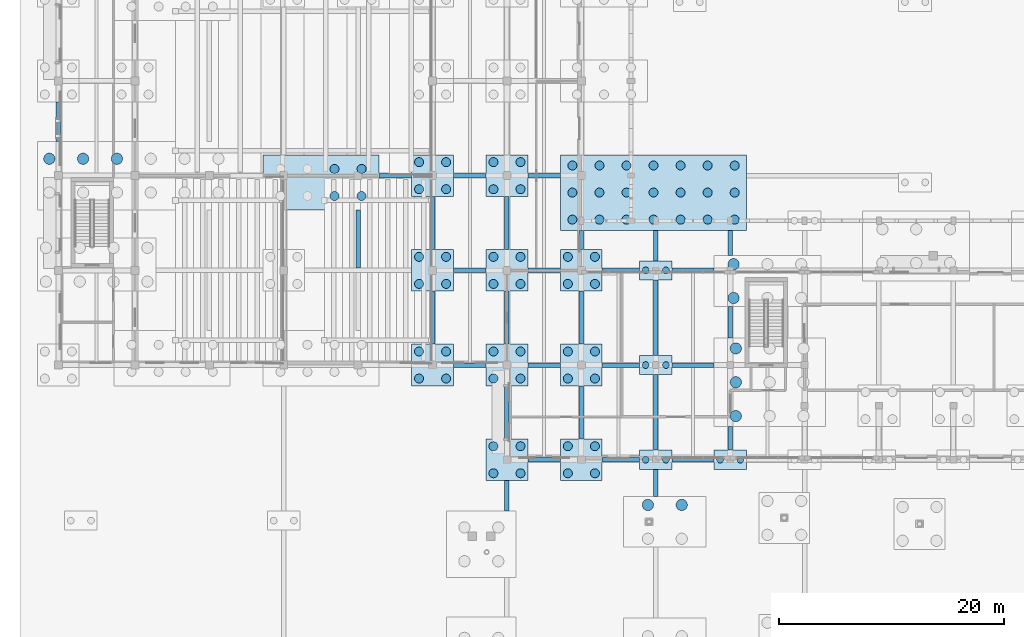
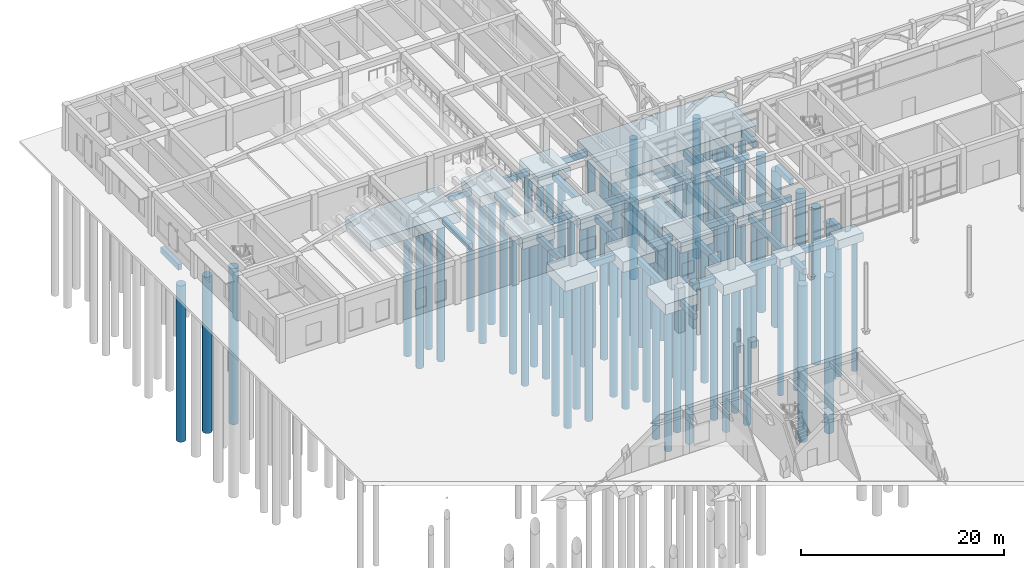
# One storey, part 4 of 82: 83 piles, 48 footings.
"""IFC4 building model written with IfcOpenShell, lengths in metres."""

from ifc_helpers import new_model, si_unit, direction, frame, origin, origin_2d, place, context, subcontext, project, spatial, rectangle, circle, extrude, material, material_profile, profile_set, type_object, element, save


model = new_model("IFC4")

# Units and contexts
model_context = context("Model", 3, precision=1e-05, world=origin(), true_north=direction((0.0, 1.0)))
body_context = subcontext(model_context, "Body", "Model", "MODEL_VIEW")
ifc_project = project(units=[si_unit("LENGTHUNIT", "METRE"), si_unit("AREAUNIT", "SQUARE_METRE"), si_unit("VOLUMEUNIT", "CUBIC_METRE"), si_unit("PLANEANGLEUNIT", "RADIAN"), si_unit("MASSUNIT", "GRAM", prefix="KILO")], contexts=[model_context])

# Site, building, storey
site_placement = place(None, origin())
site = spatial("IfcSite", under=ifc_project, at=site_placement, CompositionType="ELEMENT")
building_placement = place(site_placement, origin())
building = spatial("IfcBuilding", under=site, at=building_placement, Name="Kolvaren Faculty of Natural Sciences", CompositionType="ELEMENT")
storey_placement = place(building_placement, origin())
storey = spatial("IfcBuildingStorey", under=building, at=storey_placement, Name="L00", CompositionType="ELEMENT", Elevation=0.0)

# Piles
ifc_material = material(Name="Concrete C35/45", Category="concrete")
ifc_material_profile_1 = material_profile(ifc_material, circle(Radius=0.5, at=origin_2d()), Name="PILE D1000")
ifc_profile_set_1 = profile_set([ifc_material_profile_1], Name="Concrete C35/45")
pile_type_1 = type_object("IfcPileType", Name="BoredPile_1000", PredefinedType="BORED", material=ifc_profile_set_1)
for number, where, z_axis, x_axis, name in (
    (1, (-0.800048828125, 94.10009765625, -1.469970703125), (0.0, 0.0, -1.0), (1.0, 0.0, 0.0), "Rock-socketed bored pile BP-1000 under CAP-087"),
    (2, (2.199951171875, 94.10009765625, -1.469970703125), (0.0, 0.0, -1.0), (1.0, 0.0, 0.0), "Rock-socketed bored pile BP-1000 under CAP-087"),
    (3, (5.199951171875, 94.10009765625, -1.469970703125), (0.0, 0.0, -1.0), (1.0, 0.0, 0.0), "Rock-socketed bored pile BP-1000 under CAP-087"),
    (4, (52.300048828125, 63.389892578125, -1.469970703125), (0.0, 0.0, -1.0), (1.0, 0.0, 0.0), "Rock-socketed bored pile BP-1000 under CAP-146"),
    (5, (55.300048828125, 63.389892578125, -1.469970703125), (0.0, 0.0, -1.0), (1.0, 0.0, 0.0), "Rock-socketed bored pile BP-1000 under CAP-146"),
    (6, (60.10009765625, 71.27490234375, -1.469970703125), (0.0, 0.0, -1.0), (1.0, 0.0, 0.0), "Rock-socketed bored pile BP-1000 under CAP-154"),
    (7, (60.10009765625, 74.27490234375, -1.469970703125), (0.0, 0.0, -1.0), (1.0, 0.0, 0.0), "Rock-socketed bored pile BP-1000 under CAP-154"),
    (8, (60.10009765625, 77.27490234375, -1.469970703125), (0.0, 0.0, -1.0), (1.0, 0.0, 0.0), "Rock-socketed bored pile BP-1000 under CAP-154"),
    (9, (59.89990234375, 81.75, -1.469970703125), (0.0, 0.0, -1.0), (1.0, 0.0, 0.0), "Rock-socketed bored pile BP-1000 under CAP-155"),
    (10, (59.89990234375, 84.75, -1.469970703125), (0.0, 0.0, -1.0), (1.0, 0.0, 0.0), "Rock-socketed bored pile BP-1000 under CAP-155"),
):
    element("IfcPile", number, at=place(storey_placement, frame(where, z_axis=z_axis, x_axis=x_axis)), inside=storey, type_object=pile_type_1, Name=name, PredefinedType="BORED", context=body_context, shape_type="SweptSolid", body=[
        extrude(circle(Radius=0.5, at=origin_2d()), origin(), (0.0, 0.0, 1.0), 18.830078125),
    ])
ifc_material_profile_2 = material_profile(ifc_material, circle(Radius=0.300048828125, at=origin_2d()), Name="PILE D600")
ifc_profile_set_2 = profile_set([ifc_material_profile_2], Name="Concrete C35/45")
pile_type_2 = type_object("IfcPileType", Name="BoredPile_600", PredefinedType="BORED", material=ifc_profile_set_2)
for number, where, z_axis, x_axis, name in (
    (11, (52.10009765625, 67.39990234375, -1.27001953125), (0.0, 0.0, -1.0), (1.0, 0.0, 0.0), "Rock-socketed bored pile BP-600 under CAP-148"),
    (12, (53.89990234375, 67.39990234375, -1.27001953125), (0.0, 0.0, -1.0), (1.0, 0.0, 0.0), "Rock-socketed bored pile BP-600 under CAP-148"),
    (13, (52.10009765625, 75.800048828125, -1.27001953125), (0.0, 0.0, -1.0), (1.0, 0.0, 0.0), "Rock-socketed bored pile BP-600 under CAP-149"),
    (14, (53.89990234375, 75.800048828125, -1.27001953125), (0.0, 0.0, -1.0), (1.0, 0.0, 0.0), "Rock-socketed bored pile BP-600 under CAP-149"),
    (15, (52.10009765625, 84.199951171875, -1.27001953125), (0.0, 0.0, -1.0), (1.0, 0.0, 0.0), "Rock-socketed bored pile BP-600 under CAP-150"),
    (16, (53.89990234375, 84.199951171875, -1.27001953125), (0.0, 0.0, -1.0), (1.0, 0.0, 0.0), "Rock-socketed bored pile BP-600 under CAP-150"),
    (17, (58.699951171875, 67.39990234375, -1.27001953125), (0.0, 0.0, -1.0), (1.0, 0.0, 0.0), "Rock-socketed bored pile BP-600 under CAP-153"),
    (18, (60.5, 67.39990234375, -1.27001953125), (0.0, 0.0, -1.0), (1.0, 0.0, 0.0), "Rock-socketed bored pile BP-600 under CAP-153"),
):
    element("IfcPile", number, at=place(storey_placement, frame(where, z_axis=z_axis, x_axis=x_axis)), inside=storey, type_object=pile_type_2, Name=name, PredefinedType="BORED", context=body_context, shape_type="SweptSolid", body=[
        extrude(circle(Radius=0.300048828125, at=origin_2d()), origin(), (0.0, 0.0, 1.0), 15.929931640625),
    ])
ifc_material_profile_3 = material_profile(ifc_material, circle(Radius=0.39990234375, at=origin_2d()), Name="PILE D800")
ifc_profile_set_3 = profile_set([ifc_material_profile_3], Name="Concrete C35/45")
pile_type_3 = type_object("IfcPileType", Name="BoredPile_800", PredefinedType="BORED", material=ifc_profile_set_3)
for number, where, z_axis, x_axis, name in (
    (19, (24.5, 90.800048828125, -1.469970703125), (0.0, 0.0, -1.0), (1.0, 0.0, 0.0), "Rock-socketed bored pile BP-800 under CAP-109"),
    (20, (24.5, 93.199951171875, -1.469970703125), (0.0, 0.0, -1.0), (1.0, 0.0, 0.0), "Rock-socketed bored pile BP-800 under CAP-109"),
    (21, (26.89990234375, 90.800048828125, -1.469970703125), (0.0, 0.0, -1.0), (1.0, 0.0, 0.0), "Rock-socketed bored pile BP-800 under CAP-109"),
    (22, (26.89990234375, 93.199951171875, -1.469970703125), (0.0, 0.0, -1.0), (1.0, 0.0, 0.0), "Rock-socketed bored pile BP-800 under CAP-109"),
    (23, (32.0, 74.60009765625, -1.469970703125), (0.0, 0.0, -1.0), (1.0, 0.0, 0.0), "Rock-socketed bored pile BP-800 under CAP-121"),
    (24, (32.0, 77.0, -1.469970703125), (0.0, 0.0, -1.0), (1.0, 0.0, 0.0), "Rock-socketed bored pile BP-800 under CAP-121"),
    (25, (34.39990234375, 74.60009765625, -1.469970703125), (0.0, 0.0, -1.0), (1.0, 0.0, 0.0), "Rock-socketed bored pile BP-800 under CAP-121"),
    (26, (34.39990234375, 77.0, -1.469970703125), (0.0, 0.0, -1.0), (1.0, 0.0, 0.0), "Rock-socketed bored pile BP-800 under CAP-121"),
    (27, (32.0, 83.0, -1.469970703125), (0.0, 0.0, -1.0), (1.0, 0.0, 0.0), "Rock-socketed bored pile BP-800 under CAP-122"),
    (28, (32.0, 85.39990234375, -1.469970703125), (0.0, 0.0, -1.0), (1.0, 0.0, 0.0), "Rock-socketed bored pile BP-800 under CAP-122"),
    (29, (34.39990234375, 83.0, -1.469970703125), (0.0, 0.0, -1.0), (1.0, 0.0, 0.0), "Rock-socketed bored pile BP-800 under CAP-122"),
    (30, (34.39990234375, 85.39990234375, -1.469970703125), (0.0, 0.0, -1.0), (1.0, 0.0, 0.0), "Rock-socketed bored pile BP-800 under CAP-122"),
    (31, (32.0, 91.39990234375, -1.469970703125), (0.0, 0.0, -1.0), (1.0, 0.0, 0.0), "Rock-socketed bored pile BP-800 under CAP-123"),
    (32, (32.0, 93.800048828125, -1.469970703125), (0.0, 0.0, -1.0), (1.0, 0.0, 0.0), "Rock-socketed bored pile BP-800 under CAP-123"),
    (33, (34.39990234375, 91.39990234375, -1.469970703125), (0.0, 0.0, -1.0), (1.0, 0.0, 0.0), "Rock-socketed bored pile BP-800 under CAP-123"),
    (34, (34.39990234375, 93.800048828125, -1.469970703125), (0.0, 0.0, -1.0), (1.0, 0.0, 0.0), "Rock-socketed bored pile BP-800 under CAP-123"),
    (35, (38.60009765625, 66.199951171875, -1.469970703125), (0.0, 0.0, -1.0), (1.0, 0.0, 0.0), "Rock-socketed bored pile BP-800 under CAP-131"),
    (36, (38.60009765625, 68.60009765625, -1.469970703125), (0.0, 0.0, -1.0), (1.0, 0.0, 0.0), "Rock-socketed bored pile BP-800 under CAP-131"),
    (37, (41.0, 66.199951171875, -1.469970703125), (0.0, 0.0, -1.0), (1.0, 0.0, 0.0), "Rock-socketed bored pile BP-800 under CAP-131"),
    (38, (41.0, 68.60009765625, -1.469970703125), (0.0, 0.0, -1.0), (1.0, 0.0, 0.0), "Rock-socketed bored pile BP-800 under CAP-131"),
    (39, (38.60009765625, 74.60009765625, -1.469970703125), (0.0, 0.0, -1.0), (1.0, 0.0, 0.0), "Rock-socketed bored pile BP-800 under CAP-132"),
    (40, (38.60009765625, 77.0, -1.469970703125), (0.0, 0.0, -1.0), (1.0, 0.0, 0.0), "Rock-socketed bored pile BP-800 under CAP-132"),
    (41, (41.0, 74.60009765625, -1.469970703125), (0.0, 0.0, -1.0), (1.0, 0.0, 0.0), "Rock-socketed bored pile BP-800 under CAP-132"),
    (42, (41.0, 77.0, -1.469970703125), (0.0, 0.0, -1.0), (1.0, 0.0, 0.0), "Rock-socketed bored pile BP-800 under CAP-132"),
    (43, (38.60009765625, 83.0, -1.469970703125), (0.0, 0.0, -1.0), (1.0, 0.0, 0.0), "Rock-socketed bored pile BP-800 under CAP-133"),
    (44, (38.60009765625, 85.39990234375, -1.469970703125), (0.0, 0.0, -1.0), (1.0, 0.0, 0.0), "Rock-socketed bored pile BP-800 under CAP-133"),
    (45, (41.0, 83.0, -1.469970703125), (0.0, 0.0, -1.0), (1.0, 0.0, 0.0), "Rock-socketed bored pile BP-800 under CAP-133"),
    (46, (41.0, 85.39990234375, -1.469970703125), (0.0, 0.0, -1.0), (1.0, 0.0, 0.0), "Rock-socketed bored pile BP-800 under CAP-133"),
    (47, (38.60009765625, 91.39990234375, -1.469970703125), (0.0, 0.0, -1.0), (1.0, 0.0, 0.0), "Rock-socketed bored pile BP-800 under CAP-134"),
    (48, (38.60009765625, 93.800048828125, -1.469970703125), (0.0, 0.0, -1.0), (1.0, 0.0, 0.0), "Rock-socketed bored pile BP-800 under CAP-134"),
    (49, (41.0, 91.39990234375, -1.469970703125), (0.0, 0.0, -1.0), (1.0, 0.0, 0.0), "Rock-socketed bored pile BP-800 under CAP-134"),
    (50, (41.0, 93.800048828125, -1.469970703125), (0.0, 0.0, -1.0), (1.0, 0.0, 0.0), "Rock-socketed bored pile BP-800 under CAP-134"),
    (51, (45.199951171875, 66.199951171875, -1.469970703125), (0.0, 0.0, -1.0), (1.0, 0.0, 0.0), "Rock-socketed bored pile BP-800 under CAP-138"),
    (52, (45.199951171875, 68.60009765625, -1.469970703125), (0.0, 0.0, -1.0), (1.0, 0.0, 0.0), "Rock-socketed bored pile BP-800 under CAP-138"),
    (53, (47.60009765625, 66.199951171875, -1.469970703125), (0.0, 0.0, -1.0), (1.0, 0.0, 0.0), "Rock-socketed bored pile BP-800 under CAP-138"),
    (54, (47.60009765625, 68.60009765625, -1.469970703125), (0.0, 0.0, -1.0), (1.0, 0.0, 0.0), "Rock-socketed bored pile BP-800 under CAP-138"),
    (55, (45.199951171875, 74.60009765625, -1.469970703125), (0.0, 0.0, -1.0), (1.0, 0.0, 0.0), "Rock-socketed bored pile BP-800 under CAP-139"),
    (56, (45.199951171875, 77.0, -1.469970703125), (0.0, 0.0, -1.0), (1.0, 0.0, 0.0), "Rock-socketed bored pile BP-800 under CAP-139"),
    (57, (47.60009765625, 74.60009765625, -1.469970703125), (0.0, 0.0, -1.0), (1.0, 0.0, 0.0), "Rock-socketed bored pile BP-800 under CAP-139"),
    (58, (47.60009765625, 77.0, -1.469970703125), (0.0, 0.0, -1.0), (1.0, 0.0, 0.0), "Rock-socketed bored pile BP-800 under CAP-139"),
    (59, (45.199951171875, 83.0, -1.469970703125), (0.0, 0.0, -1.0), (1.0, 0.0, 0.0), "Rock-socketed bored pile BP-800 under CAP-140"),
    (60, (45.199951171875, 85.39990234375, -1.469970703125), (0.0, 0.0, -1.0), (1.0, 0.0, 0.0), "Rock-socketed bored pile BP-800 under CAP-140"),
    (61, (47.60009765625, 83.0, -1.469970703125), (0.0, 0.0, -1.0), (1.0, 0.0, 0.0), "Rock-socketed bored pile BP-800 under CAP-140"),
    (62, (47.60009765625, 85.39990234375, -1.469970703125), (0.0, 0.0, -1.0), (1.0, 0.0, 0.0), "Rock-socketed bored pile BP-800 under CAP-140"),
    (63, (45.60009765625, 88.699951171875, -1.469970703125), (0.0, 0.0, -1.0), (1.0, 0.0, 0.0), "Rock-socketed bored pile BP-800 under CAP-141"),
    (64, (45.60009765625, 91.10009765625, -1.469970703125), (0.0, 0.0, -1.0), (1.0, 0.0, 0.0), "Rock-socketed bored pile BP-800 under CAP-141"),
    (65, (45.60009765625, 93.5, -1.469970703125), (0.0, 0.0, -1.0), (1.0, 0.0, 0.0), "Rock-socketed bored pile BP-800 under CAP-141"),
    (66, (48.0, 88.699951171875, -1.469970703125), (0.0, 0.0, -1.0), (1.0, 0.0, 0.0), "Rock-socketed bored pile BP-800 under CAP-141"),
    (67, (48.0, 91.10009765625, -1.469970703125), (0.0, 0.0, -1.0), (1.0, 0.0, 0.0), "Rock-socketed bored pile BP-800 under CAP-141"),
    (68, (48.0, 93.5, -1.469970703125), (0.0, 0.0, -1.0), (1.0, 0.0, 0.0), "Rock-socketed bored pile BP-800 under CAP-141"),
    (69, (50.39990234375, 88.699951171875, -1.469970703125), (0.0, 0.0, -1.0), (1.0, 0.0, 0.0), "Rock-socketed bored pile BP-800 under CAP-141"),
    (70, (50.39990234375, 91.10009765625, -1.469970703125), (0.0, 0.0, -1.0), (1.0, 0.0, 0.0), "Rock-socketed bored pile BP-800 under CAP-141"),
    (71, (50.39990234375, 93.5, -1.469970703125), (0.0, 0.0, -1.0), (1.0, 0.0, 0.0), "Rock-socketed bored pile BP-800 under CAP-141"),
    (72, (52.800048828125, 88.699951171875, -1.469970703125), (0.0, 0.0, -1.0), (1.0, 0.0, 0.0), "Rock-socketed bored pile BP-800 under CAP-141"),
    (73, (52.800048828125, 91.10009765625, -1.469970703125), (0.0, 0.0, -1.0), (1.0, 0.0, 0.0), "Rock-socketed bored pile BP-800 under CAP-141"),
    (74, (52.800048828125, 93.5, -1.469970703125), (0.0, 0.0, -1.0), (1.0, 0.0, 0.0), "Rock-socketed bored pile BP-800 under CAP-141"),
    (75, (55.199951171875, 88.699951171875, -1.469970703125), (0.0, 0.0, -1.0), (1.0, 0.0, 0.0), "Rock-socketed bored pile BP-800 under CAP-141"),
    (76, (55.199951171875, 91.10009765625, -1.469970703125), (0.0, 0.0, -1.0), (1.0, 0.0, 0.0), "Rock-socketed bored pile BP-800 under CAP-141"),
    (77, (55.199951171875, 93.5, -1.469970703125), (0.0, 0.0, -1.0), (1.0, 0.0, 0.0), "Rock-socketed bored pile BP-800 under CAP-141"),
    (78, (57.60009765625, 88.699951171875, -1.469970703125), (0.0, 0.0, -1.0), (1.0, 0.0, 0.0), "Rock-socketed bored pile BP-800 under CAP-141"),
    (79, (57.60009765625, 91.10009765625, -1.469970703125), (0.0, 0.0, -1.0), (1.0, 0.0, 0.0), "Rock-socketed bored pile BP-800 under CAP-141"),
    (80, (57.60009765625, 93.5, -1.469970703125), (0.0, 0.0, -1.0), (1.0, 0.0, 0.0), "Rock-socketed bored pile BP-800 under CAP-141"),
    (81, (60.0, 88.699951171875, -1.469970703125), (0.0, 0.0, -1.0), (1.0, 0.0, 0.0), "Rock-socketed bored pile BP-800 under CAP-141"),
    (82, (60.0, 91.10009765625, -1.469970703125), (0.0, 0.0, -1.0), (1.0, 0.0, 0.0), "Rock-socketed bored pile BP-800 under CAP-141"),
    (83, (60.0, 93.5, -1.469970703125), (0.0, 0.0, -1.0), (1.0, 0.0, 0.0), "Rock-socketed bored pile BP-800 under CAP-141"),
):
    element("IfcPile", number, at=place(storey_placement, frame(where, z_axis=z_axis, x_axis=x_axis)), inside=storey, type_object=pile_type_3, Name=name, PredefinedType="BORED", context=body_context, shape_type="SweptSolid", body=[
        extrude(circle(Radius=0.39990234375, at=origin_2d()), origin(), (0.0, 0.0, 1.0), 16.929931640625),
    ])

# Footings
ifc_material_profile_4 = material_profile(ifc_material, rectangle(XDim=0.39990234375, YDim=0.699951171875, at=origin_2d()), Name="RC FB 400x700")
ifc_profile_set_4 = profile_set([ifc_material_profile_4], Name="Concrete C35/45")
footing_type_1 = type_object("IfcFootingType", Name="FootingTieBeam_400x700", PredefinedType="FOOTING_BEAM", material=ifc_profile_set_4)
footing_1_placement = place(storey_placement, frame((41.64990234375, 67.39990234375, -0.75), z_axis=(1.0, 0.0, 0.0), x_axis=(0.0, 1.0, 0.0)))
element("IfcFooting", 84, at=footing_1_placement, inside=storey, type_object=footing_type_1, Name="L00 orthogonal foundation tie beam FB-01", PredefinedType="FOOTING_BEAM", context=body_context, shape_type="SweptSolid", body=[
    extrude(rectangle(XDim=0.39990234375, YDim=0.699951171875, at=origin_2d()), origin(), (0.0, 0.0, 1.0), 2.900146484375),
])
footing_2_placement = place(storey_placement, frame((48.25, 67.39990234375, -0.75), z_axis=(1.0, 0.0, 0.0), x_axis=(0.0, 1.0, 0.0)))
element("IfcFooting", 85, at=footing_2_placement, inside=storey, type_object=footing_type_1, Name="L00 orthogonal foundation tie beam FB-01", PredefinedType="FOOTING_BEAM", context=body_context, shape_type="SweptSolid", body=[
    extrude(rectangle(XDim=0.39990234375, YDim=0.699951171875, at=origin_2d()), origin(), (0.0, 0.0, 1.0), 3.300048828125),
])
footing_3_placement = place(storey_placement, frame((54.449951171875, 67.39990234375, -0.75), z_axis=(1.0, 0.0, 0.0), x_axis=(0.0, 1.0, 0.0)))
element("IfcFooting", 86, at=footing_3_placement, inside=storey, type_object=footing_type_1, Name="L00 orthogonal foundation tie beam FB-01", PredefinedType="FOOTING_BEAM", context=body_context, shape_type="SweptSolid", body=[
    extrude(rectangle(XDim=0.39990234375, YDim=0.699951171875, at=origin_2d()), origin(), (0.0, 0.0, 1.0), 3.699951171875),
])
footing_4_placement = place(storey_placement, frame((35.050048828125, 75.800048828125, -0.75), z_axis=(1.0, 0.0, 0.0), x_axis=(0.0, 1.0, 0.0)))
element("IfcFooting", 87, at=footing_4_placement, inside=storey, type_object=footing_type_1, Name="L00 orthogonal foundation tie beam FB-01", PredefinedType="FOOTING_BEAM", context=body_context, shape_type="SweptSolid", body=[
    extrude(rectangle(XDim=0.39990234375, YDim=0.699951171875, at=origin_2d()), origin(), (0.0, 0.0, 1.0), 2.89990234375),
])
footing_5_placement = place(storey_placement, frame((41.64990234375, 75.800048828125, -0.75), z_axis=(1.0, 0.0, 0.0), x_axis=(0.0, 1.0, 0.0)))
element("IfcFooting", 88, at=footing_5_placement, inside=storey, type_object=footing_type_1, Name="L00 orthogonal foundation tie beam FB-01", PredefinedType="FOOTING_BEAM", context=body_context, shape_type="SweptSolid", body=[
    extrude(rectangle(XDim=0.39990234375, YDim=0.699951171875, at=origin_2d()), origin(), (0.0, 0.0, 1.0), 2.900146484375),
])
footing_6_placement = place(storey_placement, frame((48.25, 75.800048828125, -0.75), z_axis=(1.0, 0.0, 0.0), x_axis=(0.0, 1.0, 0.0)))
element("IfcFooting", 89, at=footing_6_placement, inside=storey, type_object=footing_type_1, Name="L00 orthogonal foundation tie beam FB-01", PredefinedType="FOOTING_BEAM", context=body_context, shape_type="SweptSolid", body=[
    extrude(rectangle(XDim=0.39990234375, YDim=0.699951171875, at=origin_2d()), origin(), (0.0, 0.0, 1.0), 3.300048828125),
])
footing_7_placement = place(storey_placement, frame((54.449951171875, 75.800048828125, -0.75), z_axis=(1.0, 0.0, 0.0), x_axis=(0.0, 1.0, 0.0)))
element("IfcFooting", 90, at=footing_7_placement, inside=storey, type_object=footing_type_1, Name="L00 orthogonal foundation tie beam FB-01", PredefinedType="FOOTING_BEAM", context=body_context, shape_type="SweptSolid", body=[
    extrude(rectangle(XDim=0.39990234375, YDim=0.699951171875, at=origin_2d()), origin(), (0.0, 0.0, 1.0), 3.699951171875),
])
footing_8_placement = place(storey_placement, frame((35.050048828125, 84.199951171875, -0.75), z_axis=(1.0, 0.0, 0.0), x_axis=(0.0, 1.0, 0.0)))
element("IfcFooting", 91, at=footing_8_placement, inside=storey, type_object=footing_type_1, Name="L00 orthogonal foundation tie beam FB-01", PredefinedType="FOOTING_BEAM", context=body_context, shape_type="SweptSolid", body=[
    extrude(rectangle(XDim=0.39990234375, YDim=0.699951171875, at=origin_2d()), origin(), (0.0, 0.0, 1.0), 2.89990234375),
])
footing_9_placement = place(storey_placement, frame((41.64990234375, 84.199951171875, -0.75), z_axis=(1.0, 0.0, 0.0), x_axis=(0.0, 1.0, 0.0)))
element("IfcFooting", 92, at=footing_9_placement, inside=storey, type_object=footing_type_1, Name="L00 orthogonal foundation tie beam FB-01", PredefinedType="FOOTING_BEAM", context=body_context, shape_type="SweptSolid", body=[
    extrude(rectangle(XDim=0.39990234375, YDim=0.699951171875, at=origin_2d()), origin(), (0.0, 0.0, 1.0), 2.900146484375),
])
footing_10_placement = place(storey_placement, frame((48.25, 84.199951171875, -0.75), z_axis=(1.0, 0.0, 0.0), x_axis=(0.0, 1.0, 0.0)))
element("IfcFooting", 93, at=footing_10_placement, inside=storey, type_object=footing_type_1, Name="L00 orthogonal foundation tie beam FB-01", PredefinedType="FOOTING_BEAM", context=body_context, shape_type="SweptSolid", body=[
    extrude(rectangle(XDim=0.39990234375, YDim=0.699951171875, at=origin_2d()), origin(), (0.0, 0.0, 1.0), 3.300048828125),
])
footing_11_placement = place(storey_placement, frame((54.449951171875, 84.199951171875, -0.75), z_axis=(1.0, 0.0, 0.0), x_axis=(0.0, 1.0, 0.0)))
element("IfcFooting", 94, at=footing_11_placement, inside=storey, type_object=footing_type_1, Name="L00 orthogonal foundation tie beam FB-01", PredefinedType="FOOTING_BEAM", context=body_context, shape_type="SweptSolid", body=[
    extrude(rectangle(XDim=0.39990234375, YDim=0.699951171875, at=origin_2d()), origin(), (0.0, 0.0, 1.0), 3.699951171875),
])
footing_12_placement = place(storey_placement, frame((28.449951171875, 92.60009765625, -0.75), z_axis=(1.0, 0.0, 0.0), x_axis=(0.0, 1.0, 0.0)))
element("IfcFooting", 95, at=footing_12_placement, inside=storey, type_object=footing_type_1, Name="L00 orthogonal foundation tie beam FB-01", PredefinedType="FOOTING_BEAM", context=body_context, shape_type="SweptSolid", body=[
    extrude(rectangle(XDim=0.39990234375, YDim=0.699951171875, at=origin_2d()), origin(), (0.0, 0.0, 1.0), 2.900146484375),
])
footing_13_placement = place(storey_placement, frame((35.050048828125, 92.60009765625, -0.75), z_axis=(1.0, 0.0, 0.0), x_axis=(0.0, 1.0, 0.0)))
element("IfcFooting", 96, at=footing_13_placement, inside=storey, type_object=footing_type_1, Name="L00 orthogonal foundation tie beam FB-01", PredefinedType="FOOTING_BEAM", context=body_context, shape_type="SweptSolid", body=[
    extrude(rectangle(XDim=0.39990234375, YDim=0.699951171875, at=origin_2d()), origin(), (0.0, 0.0, 1.0), 2.89990234375),
])
footing_14_placement = place(storey_placement, frame((41.64990234375, 92.60009765625, -0.75), z_axis=(1.0, 0.0, 0.0), x_axis=(0.0, 1.0, 0.0)))
element("IfcFooting", 97, at=footing_14_placement, inside=storey, type_object=footing_type_1, Name="L00 orthogonal foundation tie beam FB-01", PredefinedType="FOOTING_BEAM", context=body_context, shape_type="SweptSolid", body=[
    extrude(rectangle(XDim=0.39990234375, YDim=0.699951171875, at=origin_2d()), origin(), (0.0, 0.0, 1.0), 2.900146484375),
])
footing_15_placement = place(storey_placement, frame((0.0, 95.64990234375, -0.75), z_axis=(0.0, 1.0, 0.0), x_axis=(-1.0, 0.0, 0.0)))
element("IfcFooting", 98, at=footing_15_placement, inside=storey, type_object=footing_type_1, Name="L00 orthogonal foundation tie beam FB-01", PredefinedType="FOOTING_BEAM", context=body_context, shape_type="SweptSolid", body=[
    extrude(rectangle(XDim=0.39990234375, YDim=0.699951171875, at=origin_2d()), origin(), (0.0, 0.0, 1.0), 3.5),
])
footing_16_placement = place(storey_placement, frame((26.60009765625, 84.39990234375, -0.75), z_axis=(0.0, 1.0, 0.0), x_axis=(-1.0, 0.0, 0.0)))
element("IfcFooting", 99, at=footing_16_placement, inside=storey, type_object=footing_type_1, Name="L00 orthogonal foundation tie beam FB-01", PredefinedType="FOOTING_BEAM", context=body_context, shape_type="SweptSolid", body=[
    extrude(rectangle(XDim=0.39990234375, YDim=0.699951171875, at=origin_2d()), origin(), (0.0, 0.0, 1.0), 5.150146484375),
])
footing_17_placement = place(storey_placement, frame((33.199951171875, 77.64990234375, -0.75), z_axis=(0.0, 1.0, 0.0), x_axis=(-1.0, 0.0, 0.0)))
element("IfcFooting", 100, at=footing_17_placement, inside=storey, type_object=footing_type_1, Name="L00 orthogonal foundation tie beam FB-01", PredefinedType="FOOTING_BEAM", context=body_context, shape_type="SweptSolid", body=[
    extrude(rectangle(XDim=0.39990234375, YDim=0.699951171875, at=origin_2d()), origin(), (0.0, 0.0, 1.0), 4.7001953125),
])
footing_18_placement = place(storey_placement, frame((33.199951171875, 86.050048828125, -0.75), z_axis=(0.0, 1.0, 0.0), x_axis=(-1.0, 0.0, 0.0)))
element("IfcFooting", 101, at=footing_18_placement, inside=storey, type_object=footing_type_1, Name="L00 orthogonal foundation tie beam FB-01", PredefinedType="FOOTING_BEAM", context=body_context, shape_type="SweptSolid", body=[
    extrude(rectangle(XDim=0.39990234375, YDim=0.699951171875, at=origin_2d()), origin(), (0.0, 0.0, 1.0), 4.699951171875),
])
footing_19_placement = place(storey_placement, frame((39.800048828125, 62.85009765625, -0.75), z_axis=(0.0, 1.0, 0.0), x_axis=(-1.0, 0.0, 0.0)))
element("IfcFooting", 102, at=footing_19_placement, inside=storey, type_object=footing_type_1, Name="L00 orthogonal foundation tie beam FB-01", PredefinedType="FOOTING_BEAM", context=body_context, shape_type="SweptSolid", body=[
    extrude(rectangle(XDim=0.39990234375, YDim=0.699951171875, at=origin_2d()), origin(), (0.0, 0.0, 1.0), 2.699951171875),
])
footing_20_placement = place(storey_placement, frame((39.800048828125, 69.25, -0.75), z_axis=(0.0, 1.0, 0.0), x_axis=(-1.0, 0.0, 0.0)))
element("IfcFooting", 103, at=footing_20_placement, inside=storey, type_object=footing_type_1, Name="L00 orthogonal foundation tie beam FB-01", PredefinedType="FOOTING_BEAM", context=body_context, shape_type="SweptSolid", body=[
    extrude(rectangle(XDim=0.39990234375, YDim=0.699951171875, at=origin_2d()), origin(), (0.0, 0.0, 1.0), 4.699951171875),
])
footing_21_placement = place(storey_placement, frame((39.800048828125, 77.64990234375, -0.75), z_axis=(0.0, 1.0, 0.0), x_axis=(-1.0, 0.0, 0.0)))
element("IfcFooting", 104, at=footing_21_placement, inside=storey, type_object=footing_type_1, Name="L00 orthogonal foundation tie beam FB-01", PredefinedType="FOOTING_BEAM", context=body_context, shape_type="SweptSolid", body=[
    extrude(rectangle(XDim=0.39990234375, YDim=0.699951171875, at=origin_2d()), origin(), (0.0, 0.0, 1.0), 4.7001953125),
])
for number, where, z_axis, x_axis, name in (
    (105, (39.800048828125, 86.050048828125, -0.75), (0.0, 1.0, 0.0), (-1.0, 0.0, 0.0), "L00 orthogonal foundation tie beam FB-01"),
    (106, (46.39990234375, 69.25, -0.75), (0.0, 1.0, 0.0), (-1.0, 0.0, 0.0), "L00 orthogonal foundation tie beam FB-01"),
):
    element("IfcFooting", number, at=place(storey_placement, frame(where, z_axis=z_axis, x_axis=x_axis)), inside=storey, type_object=footing_type_1, Name=name, PredefinedType="FOOTING_BEAM", context=body_context, shape_type="SweptSolid", body=[
        extrude(rectangle(XDim=0.39990234375, YDim=0.699951171875, at=origin_2d()), origin(), (0.0, 0.0, 1.0), 4.699951171875),
    ])
footing_22_placement = place(storey_placement, frame((46.39990234375, 77.64990234375, -0.75), z_axis=(0.0, 1.0, 0.0), x_axis=(-1.0, 0.0, 0.0)))
element("IfcFooting", 107, at=footing_22_placement, inside=storey, type_object=footing_type_1, Name="L00 orthogonal foundation tie beam FB-01", PredefinedType="FOOTING_BEAM", context=body_context, shape_type="SweptSolid", body=[
    extrude(rectangle(XDim=0.39990234375, YDim=0.699951171875, at=origin_2d()), origin(), (0.0, 0.0, 1.0), 4.7001953125),
])
footing_23_placement = place(storey_placement, frame((46.39990234375, 86.050048828125, -0.75), z_axis=(0.0, 1.0, 0.0), x_axis=(-1.0, 0.0, 0.0)))
element("IfcFooting", 108, at=footing_23_placement, inside=storey, type_object=footing_type_1, Name="L00 orthogonal foundation tie beam FB-01", PredefinedType="FOOTING_BEAM", context=body_context, shape_type="SweptSolid", body=[
    extrude(rectangle(XDim=0.39990234375, YDim=0.699951171875, at=origin_2d()), origin(), (0.0, 0.0, 1.0), 1.699951171875),
])
footing_24_placement = place(storey_placement, frame((53.0, 64.139892578125, -0.75), z_axis=(0.0, 1.0, 0.0), x_axis=(-1.0, 0.0, 0.0)))
element("IfcFooting", 109, at=footing_24_placement, inside=storey, type_object=footing_type_1, Name="L00 orthogonal foundation tie beam FB-01", PredefinedType="FOOTING_BEAM", context=body_context, shape_type="SweptSolid", body=[
    extrude(rectangle(XDim=0.39990234375, YDim=0.699951171875, at=origin_2d()), origin(), (0.0, 0.0, 1.0), 2.41015625),
])
footing_25_placement = place(storey_placement, frame((53.0, 68.25, -0.75), z_axis=(0.0, 1.0, 0.0), x_axis=(-1.0, 0.0, 0.0)))
element("IfcFooting", 110, at=footing_25_placement, inside=storey, type_object=footing_type_1, Name="L00 orthogonal foundation tie beam FB-01", PredefinedType="FOOTING_BEAM", context=body_context, shape_type="SweptSolid", body=[
    extrude(rectangle(XDim=0.39990234375, YDim=0.699951171875, at=origin_2d()), origin(), (0.0, 0.0, 1.0), 6.699951171875),
])
footing_26_placement = place(storey_placement, frame((53.0, 76.64990234375, -0.75), z_axis=(0.0, 1.0, 0.0), x_axis=(-1.0, 0.0, 0.0)))
element("IfcFooting", 111, at=footing_26_placement, inside=storey, type_object=footing_type_1, Name="L00 orthogonal foundation tie beam FB-01", PredefinedType="FOOTING_BEAM", context=body_context, shape_type="SweptSolid", body=[
    extrude(rectangle(XDim=0.39990234375, YDim=0.699951171875, at=origin_2d()), origin(), (0.0, 0.0, 1.0), 6.7001953125),
])
footing_27_placement = place(storey_placement, frame((53.0, 85.050048828125, -0.75), z_axis=(0.0, 1.0, 0.0), x_axis=(-1.0, 0.0, 0.0)))
element("IfcFooting", 112, at=footing_27_placement, inside=storey, type_object=footing_type_1, Name="L00 orthogonal foundation tie beam FB-01", PredefinedType="FOOTING_BEAM", context=body_context, shape_type="SweptSolid", body=[
    extrude(rectangle(XDim=0.39990234375, YDim=0.699951171875, at=origin_2d()), origin(), (0.0, 0.0, 1.0), 2.699951171875),
])
footing_28_placement = place(storey_placement, frame((59.60009765625, 68.25, -0.75), z_axis=(0.0, 1.0, 0.0), x_axis=(-1.0, 0.0, 0.0)))
element("IfcFooting", 113, at=footing_28_placement, inside=storey, type_object=footing_type_1, Name="L00 orthogonal foundation tie beam FB-01", PredefinedType="FOOTING_BEAM", context=body_context, shape_type="SweptSolid", body=[
    extrude(rectangle(XDim=0.39990234375, YDim=0.699951171875, at=origin_2d()), origin(), (0.0, 0.0, 1.0), 2.10009765625),
])
footing_29_placement = place(storey_placement, frame((59.60009765625, 78.199951171875, -0.75), z_axis=(0.0, 1.0, 0.0), x_axis=(-1.0, 0.0, 0.0)))
element("IfcFooting", 114, at=footing_29_placement, inside=storey, type_object=footing_type_1, Name="L00 orthogonal foundation tie beam FB-01", PredefinedType="FOOTING_BEAM", context=body_context, shape_type="SweptSolid", body=[
    extrude(rectangle(XDim=0.39990234375, YDim=0.699951171875, at=origin_2d()), origin(), (0.0, 0.0, 1.0), 2.800048828125),
])
footing_30_placement = place(storey_placement, frame((59.60009765625, 85.5, -0.75), z_axis=(0.0, 1.0, 0.0), x_axis=(-1.0, 0.0, 0.0)))
element("IfcFooting", 115, at=footing_30_placement, inside=storey, type_object=footing_type_1, Name="L00 orthogonal foundation tie beam FB-01", PredefinedType="FOOTING_BEAM", context=body_context, shape_type="SweptSolid", body=[
    extrude(rectangle(XDim=0.39990234375, YDim=0.699951171875, at=origin_2d()), origin(), (0.0, 0.0, 1.0), 2.25),
])
footing_type_2 = type_object("IfcFootingType", Name="PileCap_10300x4900x1250", PredefinedType="PILE_CAP", material=ifc_material)
footing_31_placement = place(storey_placement, frame((23.300048828125, 92.0, -1.570068359375), z_axis=(0.0, 0.0, 1.0), x_axis=(1.0, 0.0, 0.0)))
element("IfcFooting", 116, at=footing_31_placement, inside=storey, type_object=footing_type_2, Name="L00 reinforced concrete pile cap PC-22 (CAP-109)", PredefinedType="PILE_CAP", context=body_context, shape_type="SweptSolid", body=[
    extrude(rectangle(XDim=10.300048828125, YDim=4.89990234375, at=origin_2d()), origin(), (0.0, 0.0, 1.0), 1.25),
])
footing_type_3 = type_object("IfcFootingType", Name="PileCap_16500x6700x1250", PredefinedType="PILE_CAP", material=ifc_material)
footing_32_placement = place(storey_placement, frame((52.800048828125, 91.10009765625, -1.570068359375), z_axis=(0.0, 0.0, 1.0), x_axis=(1.0, 0.0, 0.0)))
element("IfcFooting", 117, at=footing_32_placement, inside=storey, type_object=footing_type_3, Name="L00 reinforced concrete pile cap PC-28 (CAP-141)", PredefinedType="PILE_CAP", context=body_context, shape_type="SweptSolid", body=[
    extrude(rectangle(XDim=16.5, YDim=6.699951171875, at=origin_2d()), origin(), (0.0, 0.0, 1.0), 1.25),
])
footing_type_4 = type_object("IfcFootingType", Name="PileCap_2900x1700x1050", PredefinedType="PILE_CAP", material=ifc_material)
for number, where, z_axis, x_axis, name in (
    (118, (53.0, 67.39990234375, -1.3701171875), (0.0, 0.0, 1.0), (1.0, 0.0, 0.0), "L00 reinforced concrete pile cap PC-19 (CAP-148)"),
    (119, (53.0, 75.800048828125, -1.3701171875), (0.0, 0.0, 1.0), (1.0, 0.0, 0.0), "L00 reinforced concrete pile cap PC-19 (CAP-149)"),
    (120, (53.0, 84.199951171875, -1.3701171875), (0.0, 0.0, 1.0), (1.0, 0.0, 0.0), "L00 reinforced concrete pile cap PC-19 (CAP-150)"),
    (121, (59.60009765625, 67.39990234375, -1.3701171875), (0.0, 0.0, 1.0), (1.0, 0.0, 0.0), "L00 reinforced concrete pile cap PC-19 (CAP-153)"),
):
    element("IfcFooting", number, at=place(storey_placement, frame(where, z_axis=z_axis, x_axis=x_axis)), inside=storey, type_object=footing_type_4, Name=name, PredefinedType="PILE_CAP", context=body_context, shape_type="SweptSolid", body=[
        extrude(rectangle(XDim=2.89990234375, YDim=1.699951171875, at=origin_2d()), origin(), (0.0, 0.0, 1.0), 1.050048828125),
    ])
footing_type_5 = type_object("IfcFootingType", Name="PileCap_3700x3700x1250", PredefinedType="PILE_CAP", material=ifc_material)
for number, where, z_axis, x_axis, name in (
    (122, (33.199951171875, 75.800048828125, -1.570068359375), (0.0, 0.0, 1.0), (1.0, 0.0, 0.0), "L00 reinforced concrete pile cap PC-16 (CAP-121)"),
    (123, (33.199951171875, 84.199951171875, -1.570068359375), (0.0, 0.0, 1.0), (1.0, 0.0, 0.0), "L00 reinforced concrete pile cap PC-16 (CAP-122)"),
    (124, (33.199951171875, 92.60009765625, -1.570068359375), (0.0, 0.0, 1.0), (1.0, 0.0, 0.0), "L00 reinforced concrete pile cap PC-16 (CAP-123)"),
    (125, (39.800048828125, 67.39990234375, -1.570068359375), (0.0, 0.0, 1.0), (1.0, 0.0, 0.0), "L00 reinforced concrete pile cap PC-16 (CAP-131)"),
    (126, (39.800048828125, 75.800048828125, -1.570068359375), (0.0, 0.0, 1.0), (1.0, 0.0, 0.0), "L00 reinforced concrete pile cap PC-16 (CAP-132)"),
    (127, (39.800048828125, 84.199951171875, -1.570068359375), (0.0, 0.0, 1.0), (1.0, 0.0, 0.0), "L00 reinforced concrete pile cap PC-16 (CAP-133)"),
    (128, (39.800048828125, 92.60009765625, -1.570068359375), (0.0, 0.0, 1.0), (1.0, 0.0, 0.0), "L00 reinforced concrete pile cap PC-16 (CAP-134)"),
    (129, (46.39990234375, 67.39990234375, -1.570068359375), (0.0, 0.0, 1.0), (1.0, 0.0, 0.0), "L00 reinforced concrete pile cap PC-16 (CAP-138)"),
    (130, (46.39990234375, 75.800048828125, -1.570068359375), (0.0, 0.0, 1.0), (1.0, 0.0, 0.0), "L00 reinforced concrete pile cap PC-16 (CAP-139)"),
    (131, (46.39990234375, 84.199951171875, -1.570068359375), (0.0, 0.0, 1.0), (1.0, 0.0, 0.0), "L00 reinforced concrete pile cap PC-16 (CAP-140)"),
):
    element("IfcFooting", number, at=place(storey_placement, frame(where, z_axis=z_axis, x_axis=x_axis)), inside=storey, type_object=footing_type_5, Name=name, PredefinedType="PILE_CAP", context=body_context, shape_type="SweptSolid", body=[
        extrude(rectangle(XDim=3.699951171875, YDim=3.699951171875, at=origin_2d()), origin(), (0.0, 0.0, 1.0), 1.25),
    ])

save(model, "model.ifc")
